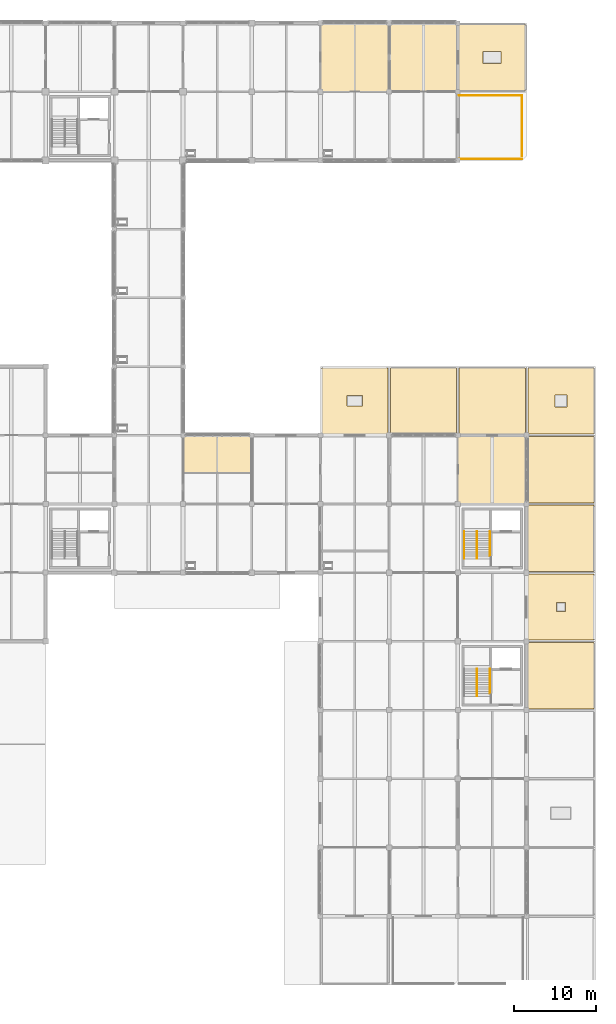
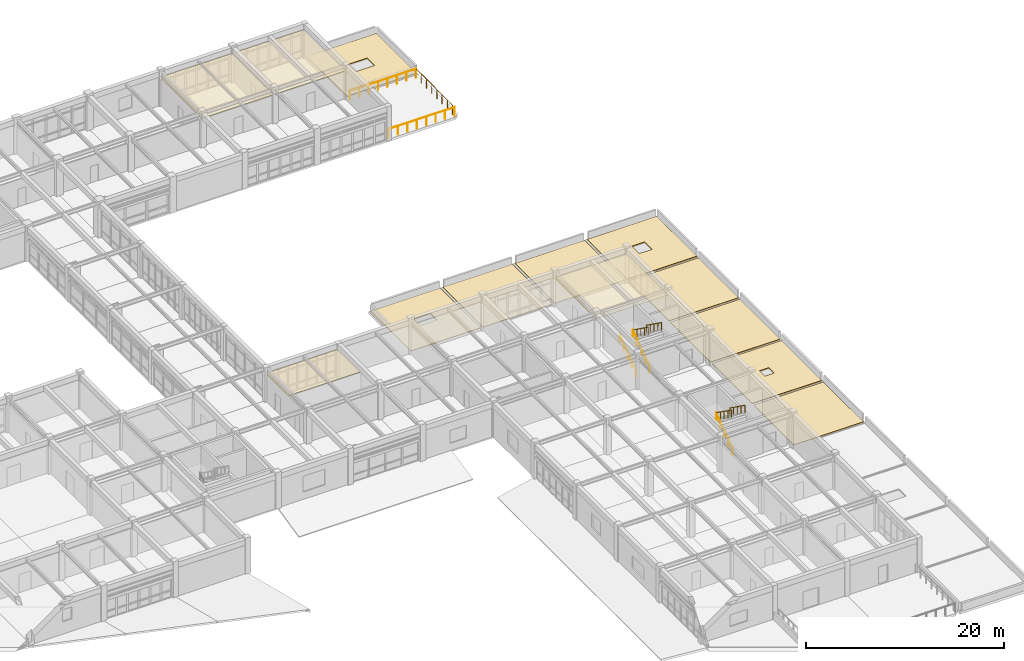
# One storey, part 78 of 78: 13 coverings, 10 railings.
"""IFC4 building model written with IfcOpenShell, lengths in metres."""

from ifc_helpers import new_model, si_unit, direction, frame, origin, origin_2d, place, context, subcontext, project, spatial, polyline, circle, outline, extrude, material, layer, layer_set, type_object, element, save


model = new_model("IFC4")

# Units and contexts
model_context = context("Model", 3, precision=1e-05, world=origin(), true_north=direction((0.0, 1.0)))
body_context = subcontext(model_context, "Body", "Model", "MODEL_VIEW")
ifc_project = project(units=[si_unit("LENGTHUNIT", "METRE"), si_unit("AREAUNIT", "SQUARE_METRE"), si_unit("VOLUMEUNIT", "CUBIC_METRE"), si_unit("PLANEANGLEUNIT", "RADIAN"), si_unit("MASSUNIT", "GRAM", prefix="KILO")], contexts=[model_context])

# Site, building, storey
site_placement = place(None, origin())
site = spatial("IfcSite", under=ifc_project, at=site_placement, CompositionType="ELEMENT")
building_placement = place(site_placement, origin())
building = spatial("IfcBuilding", under=site, at=building_placement, Name="Porcellanite Civic Hall", CompositionType="ELEMENT")
storey_placement = place(building_placement, frame((0.0, 0.0, 10.260009765625)))
storey = spatial("IfcBuildingStorey", under=building, at=storey_placement, Name="L02", CompositionType="ELEMENT", Elevation=10.260009765625)

# Coverings
ifc_material_1 = material(Name="Perforated acoustic mineral-fibre and spotted-gum batten ceiling")
ifc_layer_1 = layer(ifc_material_1, 0.034912109375)
ifc_layer_set_1 = layer_set([ifc_layer_1], Name="Perforated acoustic mineral-fibre and spotted-gum batten ceiling")
covering_type_1 = type_object("IfcCoveringType", Name="COV-CL2", PredefinedType="CEILING", material=ifc_layer_set_1)
covering_1_placement = place(storey_placement, frame((0.0, 0.0, 3.3349609375)))
element("IfcCovering", 1, at=covering_1_placement, inside=storey, type_object=covering_type_1, Name="Acoustic ceiling Map and Charter Room L02-B", PredefinedType="CEILING", context=body_context, shape_type="SweptSolid", body=[
    extrude(outline(polyline([(126.010009765625, 62.610107421875), (134.389892578125, 62.610107421875), (134.389892578125, 67.18994140625), (126.010009765625, 67.18994140625), (126.010009765625, 62.610107421875)])), origin(), (0.0, 0.0, 1.0), 0.034912109375),
])
covering_2_placement = place(storey_placement, frame((0.0, 0.0, 3.3349609375)))
element("IfcCovering", 2, at=covering_2_placement, inside=storey, type_object=covering_type_1, Name="Acoustic ceiling Municipal Infrastructure Office L02-72", PredefinedType="CEILING", context=body_context, shape_type="SweptSolid", body=[
    extrude(outline(polyline([(142.81005859375, 109.2099609375), (151.18994140625, 109.2099609375), (151.18994140625, 117.590087890625), (142.81005859375, 117.590087890625), (142.81005859375, 109.2099609375)])), origin(), (0.0, 0.0, 1.0), 0.034912109375),
])
covering_3_placement = place(storey_placement, frame((0.0, 0.0, 3.3349609375)))
element("IfcCovering", 3, at=covering_3_placement, inside=storey, type_object=covering_type_1, Name="Acoustic ceiling Municipal Infrastructure Office L02-77", PredefinedType="CEILING", context=body_context, shape_type="SweptSolid", body=[
    extrude(outline(polyline([(151.2099609375, 109.2099609375), (159.590087890625, 109.2099609375), (159.590087890625, 117.590087890625), (151.2099609375, 117.590087890625), (151.2099609375, 109.2099609375)])), origin(), (0.0, 0.0, 1.0), 0.034912109375),
])
covering_4_placement = place(storey_placement, frame((0.0, 0.0, 3.3349609375)))
element("IfcCovering", 4, at=covering_4_placement, inside=storey, type_object=covering_type_1, Name="Acoustic ceiling Parliamentary Research Suite L02-82", PredefinedType="CEILING", context=body_context, shape_type="SweptSolid", body=[
    extrude(outline(polyline([(159.610107421875, 58.81005859375), (167.989990234375, 58.81005859375), (167.989990234375, 67.18994140625), (159.610107421875, 67.18994140625), (159.610107421875, 58.81005859375)])), origin(), (0.0, 0.0, 1.0), 0.034912109375),
])
ifc_material_2 = material(Name="Insulated light-reflective TPO monsoon roofing membrane")
ifc_layer_2 = layer(ifc_material_2, 0.080078125)
ifc_layer_set_2 = layer_set([ifc_layer_2], Name="Insulated light-reflective TPO monsoon roofing membrane")
covering_type_2 = type_object("IfcCoveringType", Name="COV-RF1", PredefinedType="ROOFING", material=ifc_layer_set_2)
covering_5_placement = place(storey_placement, origin())
element("IfcCovering", 5, at=covering_5_placement, inside=storey, type_object=covering_type_2, Name="Roof membrane L02 18-9", PredefinedType="ROOFING", context=body_context, shape_type="SweptSolid", body=[
    extrude(outline(polyline([(142.949951171875, 67.35009765625), (151.050048828125, 67.35009765625), (151.050048828125, 75.449951171875), (142.949951171875, 75.449951171875), (142.949951171875, 67.35009765625)]), holes=[polyline([(146.050048828125, 70.75), (147.949951171875, 70.75), (147.949951171875, 72.050048828125), (146.050048828125, 72.050048828125), (146.050048828125, 70.75)])]), origin(), (0.0, 0.0, 1.0), 0.080078125),
])
covering_6_placement = place(storey_placement, origin())
element("IfcCovering", 6, at=covering_6_placement, inside=storey, type_object=covering_type_2, Name="Roof membrane L02 20-14", PredefinedType="ROOFING", context=body_context, shape_type="SweptSolid", body=[
    extrude(outline(polyline([(159.75, 109.35009765625), (167.85009765625, 109.35009765625), (167.85009765625, 117.449951171875), (159.75, 117.449951171875), (159.75, 109.35009765625)]), holes=[polyline([(162.699951171875, 112.64990234375), (164.89990234375, 112.64990234375), (164.89990234375, 114.14990234375), (162.699951171875, 114.14990234375), (162.699951171875, 112.64990234375)])]), origin(), (0.0, 0.0, 1.0), 0.080078125),
])
covering_7_placement = place(storey_placement, origin())
element("IfcCovering", 7, at=covering_7_placement, inside=storey, type_object=covering_type_2, Name="Roof membrane L02 21-6", PredefinedType="ROOFING", context=body_context, shape_type="SweptSolid", body=[
    extrude(outline(polyline([(168.14990234375, 42.14990234375), (176.25, 42.14990234375), (176.25, 50.25), (168.14990234375, 50.25), (168.14990234375, 42.14990234375)]), holes=[polyline([(171.64990234375, 45.64990234375), (172.75, 45.64990234375), (172.75, 46.75), (171.64990234375, 46.75), (171.64990234375, 45.64990234375)])]), origin(), (0.0, 0.0, 1.0), 0.080078125),
])
covering_8_placement = place(storey_placement, origin())
element("IfcCovering", 8, at=covering_8_placement, inside=storey, type_object=covering_type_2, Name="Roof membrane L02 21-9", PredefinedType="ROOFING", context=body_context, shape_type="SweptSolid", body=[
    extrude(outline(polyline([(168.14990234375, 67.35009765625), (176.25, 67.35009765625), (176.25, 75.449951171875), (168.14990234375, 75.449951171875), (168.14990234375, 67.35009765625)]), holes=[polyline([(171.449951171875, 70.64990234375), (172.949951171875, 70.64990234375), (172.949951171875, 72.14990234375), (171.449951171875, 72.14990234375), (171.449951171875, 70.64990234375)])]), origin(), (0.0, 0.0, 1.0), 0.080078125),
])
ifc_material_3 = material(Name="Insulated light-reflective TPO monsoon roofing membrane")
ifc_layer_3 = layer(ifc_material_3, 0.070068359375)
ifc_layer_set_3 = layer_set([ifc_layer_3], Name="Insulated light-reflective TPO monsoon roofing membrane")
covering_type_3 = type_object("IfcCoveringType", Name="COV-RF2", PredefinedType="ROOFING", material=ifc_layer_set_3)
covering_9_placement = place(storey_placement, origin())
element("IfcCovering", 9, at=covering_9_placement, inside=storey, type_object=covering_type_3, Name="Roof membrane L02 19-9", PredefinedType="ROOFING", context=body_context, shape_type="SweptSolid", body=[
    extrude(outline(polyline([(151.35009765625, 67.35009765625), (159.449951171875, 67.35009765625), (159.449951171875, 75.449951171875), (151.35009765625, 75.449951171875), (151.35009765625, 67.35009765625)])), origin(), (0.0, 0.0, 1.0), 0.070068359375),
])
covering_10_placement = place(storey_placement, origin())
element("IfcCovering", 10, at=covering_10_placement, inside=storey, type_object=covering_type_3, Name="Roof membrane L02 21-7", PredefinedType="ROOFING", context=body_context, shape_type="SweptSolid", body=[
    extrude(outline(polyline([(168.14990234375, 50.550048828125), (176.25, 50.550048828125), (176.25, 58.64990234375), (168.14990234375, 58.64990234375), (168.14990234375, 50.550048828125)])), origin(), (0.0, 0.0, 1.0), 0.070068359375),
])
ifc_material_4 = material(Name="Insulated light-reflective TPO monsoon roofing membrane")
ifc_layer_4 = layer(ifc_material_4, 0.06005859375)
ifc_layer_set_4 = layer_set([ifc_layer_4], Name="Insulated light-reflective TPO monsoon roofing membrane")
covering_type_4 = type_object("IfcCoveringType", Name="COV-RF3", PredefinedType="ROOFING", material=ifc_layer_set_4)
covering_11_placement = place(storey_placement, origin())
element("IfcCovering", 11, at=covering_11_placement, inside=storey, type_object=covering_type_4, Name="Roof membrane L02 20-9", PredefinedType="ROOFING", context=body_context, shape_type="SweptSolid", body=[
    extrude(outline(polyline([(159.75, 67.35009765625), (167.85009765625, 67.35009765625), (167.85009765625, 75.449951171875), (159.75, 75.449951171875), (159.75, 67.35009765625)])), origin(), (0.0, 0.0, 1.0), 0.06005859375),
])
covering_12_placement = place(storey_placement, origin())
element("IfcCovering", 12, at=covering_12_placement, inside=storey, type_object=covering_type_4, Name="Roof membrane L02 21-5", PredefinedType="ROOFING", context=body_context, shape_type="SweptSolid", body=[
    extrude(outline(polyline([(168.14990234375, 33.75), (176.25, 33.75), (176.25, 41.85009765625), (168.14990234375, 41.85009765625), (168.14990234375, 33.75)])), origin(), (0.0, 0.0, 1.0), 0.06005859375),
])
covering_13_placement = place(storey_placement, origin())
element("IfcCovering", 13, at=covering_13_placement, inside=storey, type_object=covering_type_4, Name="Roof membrane L02 21-8", PredefinedType="ROOFING", context=body_context, shape_type="SweptSolid", body=[
    extrude(outline(polyline([(168.14990234375, 58.949951171875), (176.25, 58.949951171875), (176.25, 67.050048828125), (168.14990234375, 67.050048828125), (168.14990234375, 58.949951171875)])), origin(), (0.0, 0.0, 1.0), 0.06005859375),
])

# Railings
ifc_material_5 = material(Name="Brushed stainless steel 316", Category="steel")
railing_type_1 = type_object("IfcRailingType", Name="RL-HR920", PredefinedType="HANDRAIL", material=ifc_material_5)
railing_1_placement = place(storey_placement, frame((161.965087890625, 38.625, 2.340087890625)))
element("IfcRailing", 14, at=railing_1_placement, inside=storey, type_object=railing_type_1, Name="Stair handrail ST-07 L02 3", PredefinedType="HANDRAIL", context=body_context, shape_type="SweptSolid", body=[
    extrude(circle(Radius=0.02197265625, at=origin_2d()), frame((0.0, 0.0, 0.89794921875), z_axis=(0.0, -0.813826661234, 0.581107705564), x_axis=(1.0, 0.0, 0.0)), (0.0, 0.0, 1.0), 3.716796875),
    extrude(circle(Radius=0.01904296875, at=origin_2d()), origin(), (0.0, 0.0, 1.0), 0.8759765625),
    extrude(circle(Radius=0.01904296875, at=origin_2d()), frame((0.0, -0.75634765625, 0.5400390625)), (0.0, 0.0, 1.0), 0.8759765625),
    extrude(circle(Radius=0.01904296875, at=origin_2d()), frame((0.0, -1.512451171875, 1.080078125)), (0.0, 0.0, 1.0), 0.8759765625),
    extrude(circle(Radius=0.01904296875, at=origin_2d()), frame((0.0, -2.2685546875, 1.619873046875)), (0.0, 0.0, 1.0), 0.8759765625),
    extrude(circle(Radius=0.01904296875, at=origin_2d()), frame((0.0, -3.02490234375, 2.159912109375)), (0.0, 0.0, 1.0), 0.8759765625),
])
railing_2_placement = place(storey_placement, frame((160.385009765625, 52.125, 0.0)))
element("IfcRailing", 15, at=railing_2_placement, inside=storey, type_object=railing_type_1, Name="Stair handrail ST-08 L02 1", PredefinedType="HANDRAIL", context=body_context, shape_type="SweptSolid", body=[
    extrude(circle(Radius=0.02197265625, at=origin_2d()), frame((0.0, 0.0, 0.89794921875), z_axis=(0.0, 0.815726678323, 0.578437538782), x_axis=(-1.0, 0.0, 0.0)), (0.0, 0.0, 1.0), 4.045654296875),
    extrude(circle(Radius=0.01904296875, at=origin_2d()), origin(), (0.0, 0.0, 1.0), 0.8759765625),
    extrude(circle(Radius=0.01904296875, at=origin_2d()), frame((0.0, 0.824951171875, 0.5849609375)), (0.0, 0.0, 1.0), 0.8759765625),
    extrude(circle(Radius=0.01904296875, at=origin_2d()), frame((0.0, 1.64990234375, 1.169921875)), (0.0, 0.0, 1.0), 0.8759765625),
    extrude(circle(Radius=0.01904296875, at=origin_2d()), frame((0.0, 2.47509765625, 1.755126953125)), (0.0, 0.0, 1.0), 0.8759765625),
    extrude(circle(Radius=0.01904296875, at=origin_2d()), frame((0.0, 3.300048828125, 2.340087890625)), (0.0, 0.0, 1.0), 0.8759765625),
])
railing_3_placement = place(storey_placement, frame((161.965087890625, 55.425048828125, 2.340087890625)))
element("IfcRailing", 16, at=railing_3_placement, inside=storey, type_object=railing_type_1, Name="Stair handrail ST-08 L02 3", PredefinedType="HANDRAIL", context=body_context, shape_type="SweptSolid", body=[
    extrude(circle(Radius=0.02197265625, at=origin_2d()), frame((0.0, 0.0, 0.89794921875), z_axis=(0.0, -0.813848840085, 0.581076643389), x_axis=(1.0, 0.0, 0.0)), (0.0, 0.0, 1.0), 3.717041015625),
    extrude(circle(Radius=0.01904296875, at=origin_2d()), origin(), (0.0, 0.0, 1.0), 0.8759765625),
    extrude(circle(Radius=0.01904296875, at=origin_2d()), frame((0.0, -0.75634765625, 0.5400390625)), (0.0, 0.0, 1.0), 0.8759765625),
    extrude(circle(Radius=0.01904296875, at=origin_2d()), frame((0.0, -1.5126953125, 1.080078125)), (0.0, 0.0, 1.0), 0.8759765625),
    extrude(circle(Radius=0.01904296875, at=origin_2d()), frame((0.0, -2.268798828125, 1.619873046875)), (0.0, 0.0, 1.0), 0.8759765625),
    extrude(circle(Radius=0.01904296875, at=origin_2d()), frame((0.0, -3.025146484375, 2.159912109375)), (0.0, 0.0, 1.0), 0.8759765625),
])
ifc_material_6 = material(Name="Brushed stainless steel 316", Category="steel")
railing_type_2 = type_object("IfcRailingType", Name="RL-HR950", PredefinedType="HANDRAIL", material=ifc_material_6)
railing_4_placement = place(storey_placement, frame((161.93505859375, 35.324951171875, 0.0)))
element("IfcRailing", 17, at=railing_4_placement, inside=storey, type_object=railing_type_2, Name="Stair handrail ST-07 L02 2", PredefinedType="HANDRAIL", context=body_context, shape_type="SweptSolid", body=[
    extrude(circle(Radius=0.02197265625, at=origin_2d()), frame((0.0, 0.0, 0.927978515625), z_axis=(0.0, 0.815726678323, 0.578437538782), x_axis=(-1.0, 0.0, 0.0)), (0.0, 0.0, 1.0), 4.045654296875),
    extrude(circle(Radius=0.01904296875, at=origin_2d()), origin(), (0.0, 0.0, 1.0), 0.906005859375),
    extrude(circle(Radius=0.01904296875, at=origin_2d()), frame((0.0, 0.824951171875, 0.5849609375)), (0.0, 0.0, 1.0), 0.906005859375),
    extrude(circle(Radius=0.01904296875, at=origin_2d()), frame((0.0, 1.64990234375, 1.169921875)), (0.0, 0.0, 1.0), 0.906005859375),
    extrude(circle(Radius=0.01904296875, at=origin_2d()), frame((0.0, 2.47509765625, 1.755126953125)), (0.0, 0.0, 1.0), 0.906005859375),
    extrude(circle(Radius=0.01904296875, at=origin_2d()), frame((0.0, 3.300048828125, 2.340087890625)), (0.0, 0.0, 1.0), 0.906005859375),
])
railing_5_placement = place(storey_placement, frame((163.514892578125, 38.625, 2.340087890625)))
element("IfcRailing", 18, at=railing_5_placement, inside=storey, type_object=railing_type_2, Name="Stair handrail ST-07 L02 4", PredefinedType="HANDRAIL", context=body_context, shape_type="SweptSolid", body=[
    extrude(circle(Radius=0.02197265625, at=origin_2d()), frame((0.0, 0.0, 0.927978515625), z_axis=(0.0, -0.813826661234, 0.581107705564), x_axis=(1.0, 0.0, 0.0)), (0.0, 0.0, 1.0), 3.716796875),
    extrude(circle(Radius=0.01904296875, at=origin_2d()), origin(), (0.0, 0.0, 1.0), 0.906005859375),
    extrude(circle(Radius=0.01904296875, at=origin_2d()), frame((0.0, -0.75634765625, 0.5400390625)), (0.0, 0.0, 1.0), 0.906005859375),
    extrude(circle(Radius=0.01904296875, at=origin_2d()), frame((0.0, -1.512451171875, 1.080078125)), (0.0, 0.0, 1.0), 0.906005859375),
    extrude(circle(Radius=0.01904296875, at=origin_2d()), frame((0.0, -2.2685546875, 1.619873046875)), (0.0, 0.0, 1.0), 0.906005859375),
    extrude(circle(Radius=0.01904296875, at=origin_2d()), frame((0.0, -3.02490234375, 2.159912109375)), (0.0, 0.0, 1.0), 0.906005859375),
])
railing_6_placement = place(storey_placement, frame((161.93505859375, 52.125, 0.0)))
element("IfcRailing", 19, at=railing_6_placement, inside=storey, type_object=railing_type_2, Name="Stair handrail ST-08 L02 2", PredefinedType="HANDRAIL", context=body_context, shape_type="SweptSolid", body=[
    extrude(circle(Radius=0.02197265625, at=origin_2d()), frame((0.0, 0.0, 0.927978515625), z_axis=(0.0, 0.815726678323, 0.578437538782), x_axis=(-1.0, 0.0, 0.0)), (0.0, 0.0, 1.0), 4.045654296875),
    extrude(circle(Radius=0.01904296875, at=origin_2d()), origin(), (0.0, 0.0, 1.0), 0.906005859375),
    extrude(circle(Radius=0.01904296875, at=origin_2d()), frame((0.0, 0.824951171875, 0.5849609375)), (0.0, 0.0, 1.0), 0.906005859375),
    extrude(circle(Radius=0.01904296875, at=origin_2d()), frame((0.0, 1.64990234375, 1.169921875)), (0.0, 0.0, 1.0), 0.906005859375),
    extrude(circle(Radius=0.01904296875, at=origin_2d()), frame((0.0, 2.47509765625, 1.755126953125)), (0.0, 0.0, 1.0), 0.906005859375),
    extrude(circle(Radius=0.01904296875, at=origin_2d()), frame((0.0, 3.300048828125, 2.340087890625)), (0.0, 0.0, 1.0), 0.906005859375),
])
railing_7_placement = place(storey_placement, frame((163.514892578125, 55.425048828125, 2.340087890625)))
element("IfcRailing", 20, at=railing_7_placement, inside=storey, type_object=railing_type_2, Name="Stair handrail ST-08 L02 4", PredefinedType="HANDRAIL", context=body_context, shape_type="SweptSolid", body=[
    extrude(circle(Radius=0.02197265625, at=origin_2d()), frame((0.0, 0.0, 0.927978515625), z_axis=(0.0, -0.813848840085, 0.581076643389), x_axis=(1.0, 0.0, 0.0)), (0.0, 0.0, 1.0), 3.717041015625),
    extrude(circle(Radius=0.01904296875, at=origin_2d()), origin(), (0.0, 0.0, 1.0), 0.906005859375),
    extrude(circle(Radius=0.01904296875, at=origin_2d()), frame((0.0, -0.75634765625, 0.5400390625)), (0.0, 0.0, 1.0), 0.906005859375),
    extrude(circle(Radius=0.01904296875, at=origin_2d()), frame((0.0, -1.5126953125, 1.080078125)), (0.0, 0.0, 1.0), 0.906005859375),
    extrude(circle(Radius=0.01904296875, at=origin_2d()), frame((0.0, -2.268798828125, 1.619873046875)), (0.0, 0.0, 1.0), 0.906005859375),
    extrude(circle(Radius=0.01904296875, at=origin_2d()), frame((0.0, -3.025146484375, 2.159912109375)), (0.0, 0.0, 1.0), 0.906005859375),
])
ifc_material_7 = material(Name="Anodised aluminium 6063-T6", Category="aluminium")
railing_type_3 = type_object("IfcRailingType", Name="RL-TER115", PredefinedType="BALUSTRADE", material=ifc_material_7)
for number, where, name in (
    (21, (159.760009765625, 100.9599609375, 0.0), "Terrace balustrade L02 S 20-13"),
    (22, (159.760009765625, 108.75, 0.0), "Terrace balustrade L02 N 20-13"),
):
    element("IfcRailing", number, at=place(storey_placement, frame(where)), inside=storey, type_object=railing_type_3, Name=name, PredefinedType="BALUSTRADE", context=body_context, shape_type="SweptSolid", body=[
        extrude(circle(Radius=0.02490234375, at=origin_2d()), frame((0.0, 0.0, 1.125), z_axis=(1.0, 0.0, 0.0), x_axis=(0.0, 1.0, 0.0)), (0.0, 0.0, 1.0), 7.68994140625),
        extrude(circle(Radius=0.02197265625, at=origin_2d()), origin(), (0.0, 0.0, 1.0), 1.099853515625),
        extrude(circle(Radius=0.02197265625, at=origin_2d()), frame((1.0986328125, 0.0, 0.0)), (0.0, 0.0, 1.0), 1.099853515625),
        extrude(circle(Radius=0.02197265625, at=origin_2d()), frame((2.197021484375, 0.0, 0.0)), (0.0, 0.0, 1.0), 1.099853515625),
        extrude(circle(Radius=0.02197265625, at=origin_2d()), frame((3.295654296875, 0.0, 0.0)), (0.0, 0.0, 1.0), 1.099853515625),
        extrude(circle(Radius=0.02197265625, at=origin_2d()), frame((4.394287109375, 0.0, 0.0)), (0.0, 0.0, 1.0), 1.099853515625),
        extrude(circle(Radius=0.02197265625, at=origin_2d()), frame((5.492919921875, 0.0, 0.0)), (0.0, 0.0, 1.0), 1.099853515625),
        extrude(circle(Radius=0.02197265625, at=origin_2d()), frame((6.59130859375, 0.0, 0.0)), (0.0, 0.0, 1.0), 1.099853515625),
        extrude(circle(Radius=0.02197265625, at=origin_2d()), frame((7.68994140625, 0.0, 0.0)), (0.0, 0.0, 1.0), 1.099853515625),
    ])
railing_8_placement = place(storey_placement, frame((167.449951171875, 101.35009765625, 0.0)))
element("IfcRailing", 23, at=railing_8_placement, inside=storey, type_object=railing_type_3, Name="Terrace balustrade L02 E 20-13", PredefinedType="BALUSTRADE", context=body_context, shape_type="SweptSolid", body=[
    extrude(circle(Radius=0.02490234375, at=origin_2d()), frame((0.0, 0.0, 1.125), z_axis=(0.0, 1.0, 0.0), x_axis=(-1.0, 0.0, 0.0)), (0.0, 0.0, 1.0), 7.39990234375),
    extrude(circle(Radius=0.02197265625, at=origin_2d()), origin(), (0.0, 0.0, 1.0), 1.099853515625),
    extrude(circle(Radius=0.02197265625, at=origin_2d()), frame((0.0, 1.05712890625, 0.0)), (0.0, 0.0, 1.0), 1.099853515625),
    extrude(circle(Radius=0.02197265625, at=origin_2d()), frame((0.0, 2.1142578125, 0.0)), (0.0, 0.0, 1.0), 1.099853515625),
    extrude(circle(Radius=0.02197265625, at=origin_2d()), frame((0.0, 3.17138671875, 0.0)), (0.0, 0.0, 1.0), 1.099853515625),
    extrude(circle(Radius=0.02197265625, at=origin_2d()), frame((0.0, 4.228515625, 0.0)), (0.0, 0.0, 1.0), 1.099853515625),
    extrude(circle(Radius=0.02197265625, at=origin_2d()), frame((0.0, 5.28564453125, 0.0)), (0.0, 0.0, 1.0), 1.099853515625),
    extrude(circle(Radius=0.02197265625, at=origin_2d()), frame((0.0, 6.3427734375, 0.0)), (0.0, 0.0, 1.0), 1.099853515625),
    extrude(circle(Radius=0.02197265625, at=origin_2d()), frame((0.0, 7.39990234375, 0.0)), (0.0, 0.0, 1.0), 1.099853515625),
])

save(model, "model.ifc")
